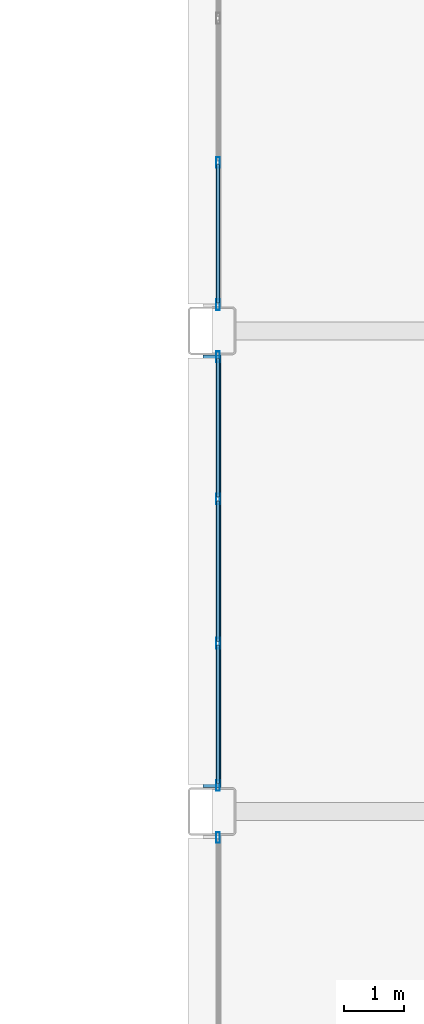
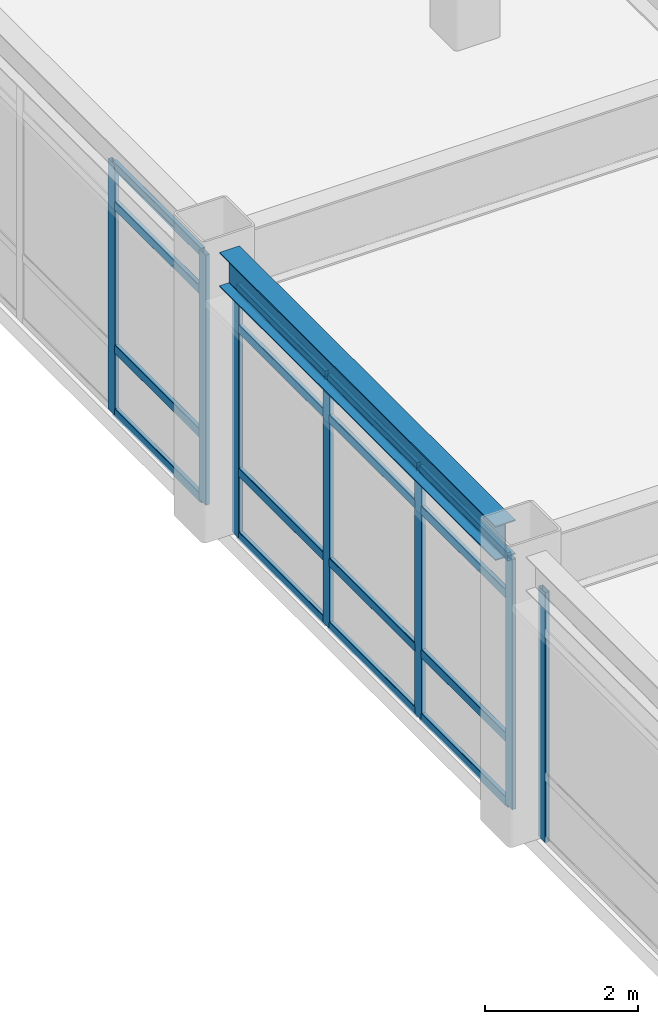
# One storey, part 101 of 154: 23 members, 1 beam, 3 elements without a shape of their own.
"""IFC4 building model written with IfcOpenShell, lengths in metres."""

from ifc_helpers import new_model, si_unit, direction, frame, origin, origin_2d, place, context, subcontext, project, spatial, hollow_rectangle, i_section, extrude, material, layer, layer_set, material_profile, profile_set, type_object, element, aggregate, save


model = new_model("IFC4")

# Units and contexts
model_context = context("Model", 3, precision=1e-05, world=origin(), true_north=direction((0.0, 1.0)))
body_context = subcontext(model_context, "Body", "Model", "MODEL_VIEW")
ifc_project = project(units=[si_unit("LENGTHUNIT", "METRE"), si_unit("AREAUNIT", "SQUARE_METRE"), si_unit("VOLUMEUNIT", "CUBIC_METRE"), si_unit("PLANEANGLEUNIT", "RADIAN"), si_unit("MASSUNIT", "GRAM", prefix="KILO")], contexts=[model_context])

# Site, building, storey
site_placement = place(None, origin())
site = spatial("IfcSite", under=ifc_project, at=site_placement, CompositionType="ELEMENT")
building_placement = place(site_placement, origin())
building = spatial("IfcBuilding", under=site, at=building_placement, Name="Kazehara Bluff Congress Hotel", CompositionType="ELEMENT")
storey_placement = place(building_placement, frame((0.0, 0.0, 10.199951171875)))
storey = spatial("IfcBuildingStorey", under=building, at=storey_placement, Name="L02", CompositionType="ELEMENT", Elevation=10.199951171875)

# Curtain wall, member
ifc_material_1 = material(Name="Anodised aluminium", Category="aluminium")
ifc_layer_1 = layer(ifc_material_1, 0.159912109375)
ifc_layer_set_1 = layer_set([ifc_layer_1], Name="Anodised aluminium")
curtain_wall_type_1 = type_object("IfcCurtainWallType", Name="TP-CW-122", PredefinedType="NOTDEFINED", material=ifc_layer_set_1)
curtain_wall_1_placement = place(storey_placement, origin())
curtain_wall_1 = element("IfcCurtainWall", 1, at=curtain_wall_1_placement, inside=storey, type_object=curtain_wall_type_1, Name="L02 curtain wall CW-122 CW-ENC-V5-L02-14380-7712", PredefinedType="NOTDEFINED")
ifc_material_2 = material(Name="Anodised aluminium", Category="aluminium")
ifc_material_profile_1 = material_profile(ifc_material_2, hollow_rectangle(XDim=0.06494140625, YDim=0.179931640625, WallThickness=0.00390625, InnerFilletRadius=0.00390625, OuterFilletRadius=0.008056640625, at=origin_2d()))
ifc_profile_set_1 = profile_set([ifc_material_profile_1], Name="Anodised aluminium")
member_type_1 = type_object("IfcMemberType", Name="TP-CWM-02", PredefinedType="MULLION", material=ifc_profile_set_1)
member_1_placement = place(storey_placement, frame((143.800048828125, 80.467529296875, 0.0), z_axis=(0.0, 0.0, 1.0), x_axis=(-1.0, 0.0, 0.0)))
member_1 = element("IfcMember", 2, at=member_1_placement, type_object=member_type_1, Name="CW-122 mullion 3", PredefinedType="MULLION", context=body_context, shape_type="SweptSolid", body=[
    extrude(hollow_rectangle(XDim=0.06494140625, YDim=0.179931640625, WallThickness=0.00390625, InnerFilletRadius=0.00390625, OuterFilletRadius=0.008056640625, at=origin_2d()), origin(), (0.0, 0.0, 1.0), 3.985107421875),
])
aggregate(curtain_wall_1, [member_1])

# Curtain wall, members
ifc_material_3 = material(Name="Anodised aluminium", Category="aluminium")
ifc_layer_2 = layer(ifc_material_3, 0.159912109375)
ifc_layer_set_2 = layer_set([ifc_layer_2], Name="Anodised aluminium")
curtain_wall_type_2 = type_object("IfcCurtainWallType", Name="TP-CW-120", PredefinedType="NOTDEFINED", material=ifc_layer_set_2)
curtain_wall_2_placement = place(storey_placement, origin())
curtain_wall_2 = element("IfcCurtainWall", 3, at=curtain_wall_2_placement, inside=storey, type_object=curtain_wall_type_2, Name="L02 curtain wall CW-120 CW-ENC-V5-L02-14380-8490", PredefinedType="NOTDEFINED")
member_2_placement = place(storey_placement, frame((143.800048828125, 81.33251953125, 0.0), z_axis=(0.0, 0.0, 1.0), x_axis=(-1.0, 0.0, 0.0)))
member_2 = element("IfcMember", 4, at=member_2_placement, type_object=member_type_1, Name="CW-120 mullion 1", PredefinedType="MULLION", context=body_context, shape_type="SweptSolid", body=[
    extrude(hollow_rectangle(XDim=0.06494140625, YDim=0.179931640625, WallThickness=0.00390625, InnerFilletRadius=0.00390625, OuterFilletRadius=0.008056640625, at=origin_2d()), origin(), (0.0, 0.0, 1.0), 3.985107421875),
])
member_3_placement = place(storey_placement, frame((143.800048828125, 83.699951171875, 0.0), z_axis=(0.0, 0.0, 1.0), x_axis=(-1.0, 0.0, 0.0)))
member_3 = element("IfcMember", 5, at=member_3_placement, type_object=member_type_1, Name="CW-120 mullion 2", PredefinedType="MULLION", context=body_context, shape_type="SweptSolid", body=[
    extrude(hollow_rectangle(XDim=0.06494140625, YDim=0.179931640625, WallThickness=0.00390625, InnerFilletRadius=0.00390625, OuterFilletRadius=0.008056640625, at=origin_2d()), origin(), (0.0, 0.0, 1.0), 3.985107421875),
])
member_4_placement = place(storey_placement, frame((143.800048828125, 86.10009765625, 0.0), z_axis=(0.0, 0.0, 1.0), x_axis=(-1.0, 0.0, 0.0)))
member_4 = element("IfcMember", 6, at=member_4_placement, type_object=member_type_1, Name="CW-120 mullion 3", PredefinedType="MULLION", context=body_context, shape_type="SweptSolid", body=[
    extrude(hollow_rectangle(XDim=0.06494140625, YDim=0.179931640625, WallThickness=0.00390625, InnerFilletRadius=0.00390625, OuterFilletRadius=0.008056640625, at=origin_2d()), origin(), (0.0, 0.0, 1.0), 3.985107421875),
])
member_5_placement = place(storey_placement, frame((143.800048828125, 88.467529296875, 0.0), z_axis=(0.0, 0.0, 1.0), x_axis=(-1.0, 0.0, 0.0)))
member_5 = element("IfcMember", 7, at=member_5_placement, type_object=member_type_1, Name="CW-120 mullion 4", PredefinedType="MULLION", context=body_context, shape_type="SweptSolid", body=[
    extrude(hollow_rectangle(XDim=0.06494140625, YDim=0.179931640625, WallThickness=0.00390625, InnerFilletRadius=0.00390625, OuterFilletRadius=0.008056640625, at=origin_2d()), origin(), (0.0, 0.0, 1.0), 3.985107421875),
])

curtain_wall_3_placement = place(storey_placement, origin())
curtain_wall_3 = element("IfcCurtainWall", 8, at=curtain_wall_3_placement, inside=storey, type_object=curtain_wall_type_2, Name="L02 curtain wall CW-120 CW-ENC-V5-L02-14380-9290", PredefinedType="NOTDEFINED")
member_6_placement = place(storey_placement, frame((143.800048828125, 89.33251953125, 0.0), z_axis=(0.0, 0.0, 1.0), x_axis=(-1.0, 0.0, 0.0)))
member_6 = element("IfcMember", 9, at=member_6_placement, type_object=member_type_1, Name="CW-120 mullion 1", PredefinedType="MULLION", context=body_context, shape_type="SweptSolid", body=[
    extrude(hollow_rectangle(XDim=0.06494140625, YDim=0.179931640625, WallThickness=0.00390625, InnerFilletRadius=0.00390625, OuterFilletRadius=0.008056640625, at=origin_2d()), origin(), (0.0, 0.0, 1.0), 3.985107421875),
])
member_7_placement = place(storey_placement, frame((143.800048828125, 91.699951171875, 0.0), z_axis=(0.0, 0.0, 1.0), x_axis=(-1.0, 0.0, 0.0)))
member_7 = element("IfcMember", 10, at=member_7_placement, type_object=member_type_1, Name="CW-120 mullion 2", PredefinedType="MULLION", context=body_context, shape_type="SweptSolid", body=[
    extrude(hollow_rectangle(XDim=0.06494140625, YDim=0.179931640625, WallThickness=0.00390625, InnerFilletRadius=0.00390625, OuterFilletRadius=0.008056640625, at=origin_2d()), origin(), (0.0, 0.0, 1.0), 3.985107421875),
])

# Member
ifc_material_4 = material(Name="Anodised aluminium", Category="aluminium")
ifc_material_profile_2 = material_profile(ifc_material_4, hollow_rectangle(XDim=0.06494140625, YDim=0.139892578125, WallThickness=0.00390625, InnerFilletRadius=0.00390625, OuterFilletRadius=0.008056640625, at=origin_2d()))
ifc_profile_set_2 = profile_set([ifc_material_profile_2], Name="Anodised aluminium")
member_type_2 = type_object("IfcMemberType", Name="TP-CWT-02", PredefinedType="USERDEFINED", material=ifc_profile_set_2)
member_8_placement = place(storey_placement, frame((143.800048828125, 81.364990234375, 0.032470703125), z_axis=(0.0, 1.0, 0.0), x_axis=(-1.0, 0.0, 0.0)))
member_8 = element("IfcMember", 11, at=member_8_placement, type_object=member_type_2, Name="CW-120 transom 1.1", ObjectType="TRANSOM", PredefinedType="USERDEFINED", context=body_context, shape_type="SweptSolid", body=[
    extrude(hollow_rectangle(XDim=0.06494140625, YDim=0.139892578125, WallThickness=0.00390625, InnerFilletRadius=0.00390625, OuterFilletRadius=0.008056640625, at=origin_2d()), origin(), (0.0, 0.0, 1.0), 2.302490234375),
])

member_9_placement = place(storey_placement, frame((143.800048828125, 81.364990234375, 1.050048828125), z_axis=(0.0, 1.0, 0.0), x_axis=(-1.0, 0.0, 0.0)))
member_9 = element("IfcMember", 12, at=member_9_placement, type_object=member_type_2, Name="CW-120 transom 1.2", ObjectType="TRANSOM", PredefinedType="USERDEFINED", context=body_context, shape_type="SweptSolid", body=[
    extrude(hollow_rectangle(XDim=0.06494140625, YDim=0.139892578125, WallThickness=0.00390625, InnerFilletRadius=0.00390625, OuterFilletRadius=0.008056640625, at=origin_2d()), origin(), (0.0, 0.0, 1.0), 2.302490234375),
])

member_10_placement = place(storey_placement, frame((143.800048828125, 81.364990234375, 3.3349609375), z_axis=(0.0, 1.0, 0.0), x_axis=(-1.0, 0.0, 0.0)))
member_10 = element("IfcMember", 13, at=member_10_placement, type_object=member_type_2, Name="CW-120 transom 1.3", ObjectType="TRANSOM", PredefinedType="USERDEFINED", context=body_context, shape_type="SweptSolid", body=[
    extrude(hollow_rectangle(XDim=0.06494140625, YDim=0.139892578125, WallThickness=0.00390625, InnerFilletRadius=0.00390625, OuterFilletRadius=0.008056640625, at=origin_2d()), origin(), (0.0, 0.0, 1.0), 2.302490234375),
])

member_11_placement = place(storey_placement, frame((143.800048828125, 81.364990234375, 3.95263671875), z_axis=(0.0, 1.0, 0.0), x_axis=(-1.0, 0.0, 0.0)))
member_11 = element("IfcMember", 14, at=member_11_placement, type_object=member_type_2, Name="CW-120 transom 1.4", ObjectType="TRANSOM", PredefinedType="USERDEFINED", context=body_context, shape_type="SweptSolid", body=[
    extrude(hollow_rectangle(XDim=0.06494140625, YDim=0.139892578125, WallThickness=0.00390625, InnerFilletRadius=0.00390625, OuterFilletRadius=0.008056640625, at=origin_2d()), origin(), (0.0, 0.0, 1.0), 2.302490234375),
])

member_12_placement = place(storey_placement, frame((143.800048828125, 83.732421875, 0.032470703125), z_axis=(0.0, 1.0, 0.0), x_axis=(-1.0, 0.0, 0.0)))
member_12 = element("IfcMember", 15, at=member_12_placement, type_object=member_type_2, Name="CW-120 transom 2.1", ObjectType="TRANSOM", PredefinedType="USERDEFINED", context=body_context, shape_type="SweptSolid", body=[
    extrude(hollow_rectangle(XDim=0.06494140625, YDim=0.139892578125, WallThickness=0.00390625, InnerFilletRadius=0.00390625, OuterFilletRadius=0.008056640625, at=origin_2d()), origin(), (0.0, 0.0, 1.0), 2.3349609375),
])

member_13_placement = place(storey_placement, frame((143.800048828125, 83.732421875, 1.050048828125), z_axis=(0.0, 1.0, 0.0), x_axis=(-1.0, 0.0, 0.0)))
member_13 = element("IfcMember", 16, at=member_13_placement, type_object=member_type_2, Name="CW-120 transom 2.2", ObjectType="TRANSOM", PredefinedType="USERDEFINED", context=body_context, shape_type="SweptSolid", body=[
    extrude(hollow_rectangle(XDim=0.06494140625, YDim=0.139892578125, WallThickness=0.00390625, InnerFilletRadius=0.00390625, OuterFilletRadius=0.008056640625, at=origin_2d()), origin(), (0.0, 0.0, 1.0), 2.3349609375),
])

member_14_placement = place(storey_placement, frame((143.800048828125, 83.732421875, 3.3349609375), z_axis=(0.0, 1.0, 0.0), x_axis=(-1.0, 0.0, 0.0)))
member_14 = element("IfcMember", 17, at=member_14_placement, type_object=member_type_2, Name="CW-120 transom 2.3", ObjectType="TRANSOM", PredefinedType="USERDEFINED", context=body_context, shape_type="SweptSolid", body=[
    extrude(hollow_rectangle(XDim=0.06494140625, YDim=0.139892578125, WallThickness=0.00390625, InnerFilletRadius=0.00390625, OuterFilletRadius=0.008056640625, at=origin_2d()), origin(), (0.0, 0.0, 1.0), 2.3349609375),
])

member_15_placement = place(storey_placement, frame((143.800048828125, 83.732421875, 3.95263671875), z_axis=(0.0, 1.0, 0.0), x_axis=(-1.0, 0.0, 0.0)))
member_15 = element("IfcMember", 18, at=member_15_placement, type_object=member_type_2, Name="CW-120 transom 2.4", ObjectType="TRANSOM", PredefinedType="USERDEFINED", context=body_context, shape_type="SweptSolid", body=[
    extrude(hollow_rectangle(XDim=0.06494140625, YDim=0.139892578125, WallThickness=0.00390625, InnerFilletRadius=0.00390625, OuterFilletRadius=0.008056640625, at=origin_2d()), origin(), (0.0, 0.0, 1.0), 2.3349609375),
])

member_16_placement = place(storey_placement, frame((143.800048828125, 86.132568359375, 0.032470703125), z_axis=(0.0, 1.0, 0.0), x_axis=(-1.0, 0.0, 0.0)))
member_16 = element("IfcMember", 19, at=member_16_placement, type_object=member_type_2, Name="CW-120 transom 3.1", ObjectType="TRANSOM", PredefinedType="USERDEFINED", context=body_context, shape_type="SweptSolid", body=[
    extrude(hollow_rectangle(XDim=0.06494140625, YDim=0.139892578125, WallThickness=0.00390625, InnerFilletRadius=0.00390625, OuterFilletRadius=0.008056640625, at=origin_2d()), origin(), (0.0, 0.0, 1.0), 2.302490234375),
])

member_17_placement = place(storey_placement, frame((143.800048828125, 86.132568359375, 1.050048828125), z_axis=(0.0, 1.0, 0.0), x_axis=(-1.0, 0.0, 0.0)))
member_17 = element("IfcMember", 20, at=member_17_placement, type_object=member_type_2, Name="CW-120 transom 3.2", ObjectType="TRANSOM", PredefinedType="USERDEFINED", context=body_context, shape_type="SweptSolid", body=[
    extrude(hollow_rectangle(XDim=0.06494140625, YDim=0.139892578125, WallThickness=0.00390625, InnerFilletRadius=0.00390625, OuterFilletRadius=0.008056640625, at=origin_2d()), origin(), (0.0, 0.0, 1.0), 2.302490234375),
])

member_18_placement = place(storey_placement, frame((143.800048828125, 86.132568359375, 3.3349609375), z_axis=(0.0, 1.0, 0.0), x_axis=(-1.0, 0.0, 0.0)))
member_18 = element("IfcMember", 21, at=member_18_placement, type_object=member_type_2, Name="CW-120 transom 3.3", ObjectType="TRANSOM", PredefinedType="USERDEFINED", context=body_context, shape_type="SweptSolid", body=[
    extrude(hollow_rectangle(XDim=0.06494140625, YDim=0.139892578125, WallThickness=0.00390625, InnerFilletRadius=0.00390625, OuterFilletRadius=0.008056640625, at=origin_2d()), origin(), (0.0, 0.0, 1.0), 2.302490234375),
])

member_19_placement = place(storey_placement, frame((143.800048828125, 86.132568359375, 3.95263671875), z_axis=(0.0, 1.0, 0.0), x_axis=(-1.0, 0.0, 0.0)))
member_19 = element("IfcMember", 22, at=member_19_placement, type_object=member_type_2, Name="CW-120 transom 3.4", ObjectType="TRANSOM", PredefinedType="USERDEFINED", context=body_context, shape_type="SweptSolid", body=[
    extrude(hollow_rectangle(XDim=0.06494140625, YDim=0.139892578125, WallThickness=0.00390625, InnerFilletRadius=0.00390625, OuterFilletRadius=0.008056640625, at=origin_2d()), origin(), (0.0, 0.0, 1.0), 2.302490234375),
])

aggregate(curtain_wall_2, [member_2, member_3, member_4, member_5, member_8, member_9, member_10, member_11, member_12, member_13, member_14, member_15, member_16, member_17, member_18, member_19])

member_20_placement = place(storey_placement, frame((143.800048828125, 89.364990234375, 0.032470703125), z_axis=(0.0, 1.0, 0.0), x_axis=(-1.0, 0.0, 0.0)))
member_20 = element("IfcMember", 23, at=member_20_placement, type_object=member_type_2, Name="CW-120 transom 1.1", ObjectType="TRANSOM", PredefinedType="USERDEFINED", context=body_context, shape_type="SweptSolid", body=[
    extrude(hollow_rectangle(XDim=0.06494140625, YDim=0.139892578125, WallThickness=0.00390625, InnerFilletRadius=0.00390625, OuterFilletRadius=0.008056640625, at=origin_2d()), origin(), (0.0, 0.0, 1.0), 2.302490234375),
])

member_21_placement = place(storey_placement, frame((143.800048828125, 89.364990234375, 1.050048828125), z_axis=(0.0, 1.0, 0.0), x_axis=(-1.0, 0.0, 0.0)))
member_21 = element("IfcMember", 24, at=member_21_placement, type_object=member_type_2, Name="CW-120 transom 1.2", ObjectType="TRANSOM", PredefinedType="USERDEFINED", context=body_context, shape_type="SweptSolid", body=[
    extrude(hollow_rectangle(XDim=0.06494140625, YDim=0.139892578125, WallThickness=0.00390625, InnerFilletRadius=0.00390625, OuterFilletRadius=0.008056640625, at=origin_2d()), origin(), (0.0, 0.0, 1.0), 2.302490234375),
])

member_22_placement = place(storey_placement, frame((143.800048828125, 89.364990234375, 3.3349609375), z_axis=(0.0, 1.0, 0.0), x_axis=(-1.0, 0.0, 0.0)))
member_22 = element("IfcMember", 25, at=member_22_placement, type_object=member_type_2, Name="CW-120 transom 1.3", ObjectType="TRANSOM", PredefinedType="USERDEFINED", context=body_context, shape_type="SweptSolid", body=[
    extrude(hollow_rectangle(XDim=0.06494140625, YDim=0.139892578125, WallThickness=0.00390625, InnerFilletRadius=0.00390625, OuterFilletRadius=0.008056640625, at=origin_2d()), origin(), (0.0, 0.0, 1.0), 2.302490234375),
])

member_23_placement = place(storey_placement, frame((143.800048828125, 89.364990234375, 3.95263671875), z_axis=(0.0, 1.0, 0.0), x_axis=(-1.0, 0.0, 0.0)))
member_23 = element("IfcMember", 26, at=member_23_placement, type_object=member_type_2, Name="CW-120 transom 1.4", ObjectType="TRANSOM", PredefinedType="USERDEFINED", context=body_context, shape_type="SweptSolid", body=[
    extrude(hollow_rectangle(XDim=0.06494140625, YDim=0.139892578125, WallThickness=0.00390625, InnerFilletRadius=0.00390625, OuterFilletRadius=0.008056640625, at=origin_2d()), origin(), (0.0, 0.0, 1.0), 2.302490234375),
])

aggregate(curtain_wall_3, [member_6, member_7, member_20, member_21, member_22, member_23])

# Beam
ifc_material_5 = material(Name="Steel SN490B", Category="steel")
ifc_material_profile_3 = material_profile(ifc_material_5, i_section(OverallWidth=0.300048828125, OverallDepth=0.550048828125, WebThickness=0.010986328125, FlangeThickness=0.01806640625, FilletRadius=0.012939453125, at=origin_2d()))
ifc_profile_set_3 = profile_set([ifc_material_profile_3], Name="Steel SN490B")
beam_type = type_object("IfcBeamType", Name="TP-SP-01", PredefinedType="SPANDREL", material=ifc_profile_set_3)
beam_placement = place(storey_placement, frame((143.699951171875, 81.300048828125, 4.28515625), z_axis=(0.0, 1.0, 0.0), x_axis=(-1.0, 0.0, 0.0)))
element("IfcBeam", 27, at=beam_placement, inside=storey, type_object=beam_type, Name="L02 girder SP-01 147", PredefinedType="SPANDREL", context=body_context, shape_type="SweptSolid", body=[
    extrude(i_section(OverallWidth=0.300048828125, OverallDepth=0.550048828125, WebThickness=0.010986328125, FlangeThickness=0.01806640625, FilletRadius=0.012939453125, at=origin_2d()), origin(), (0.0, 0.0, 1.0), 7.199951171875),
])

save(model, "model.ifc")
